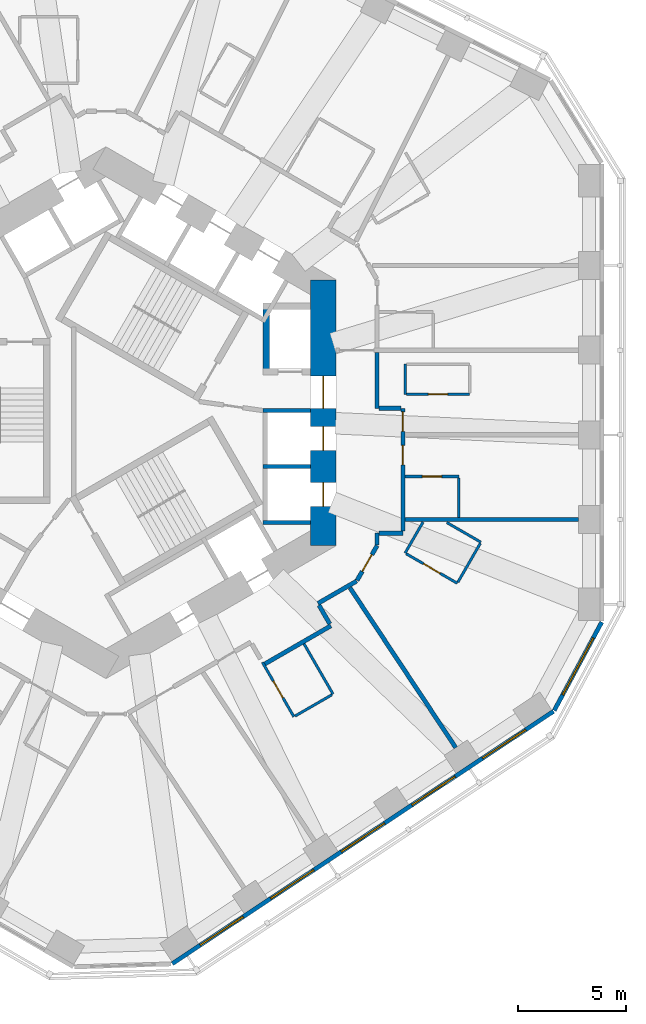
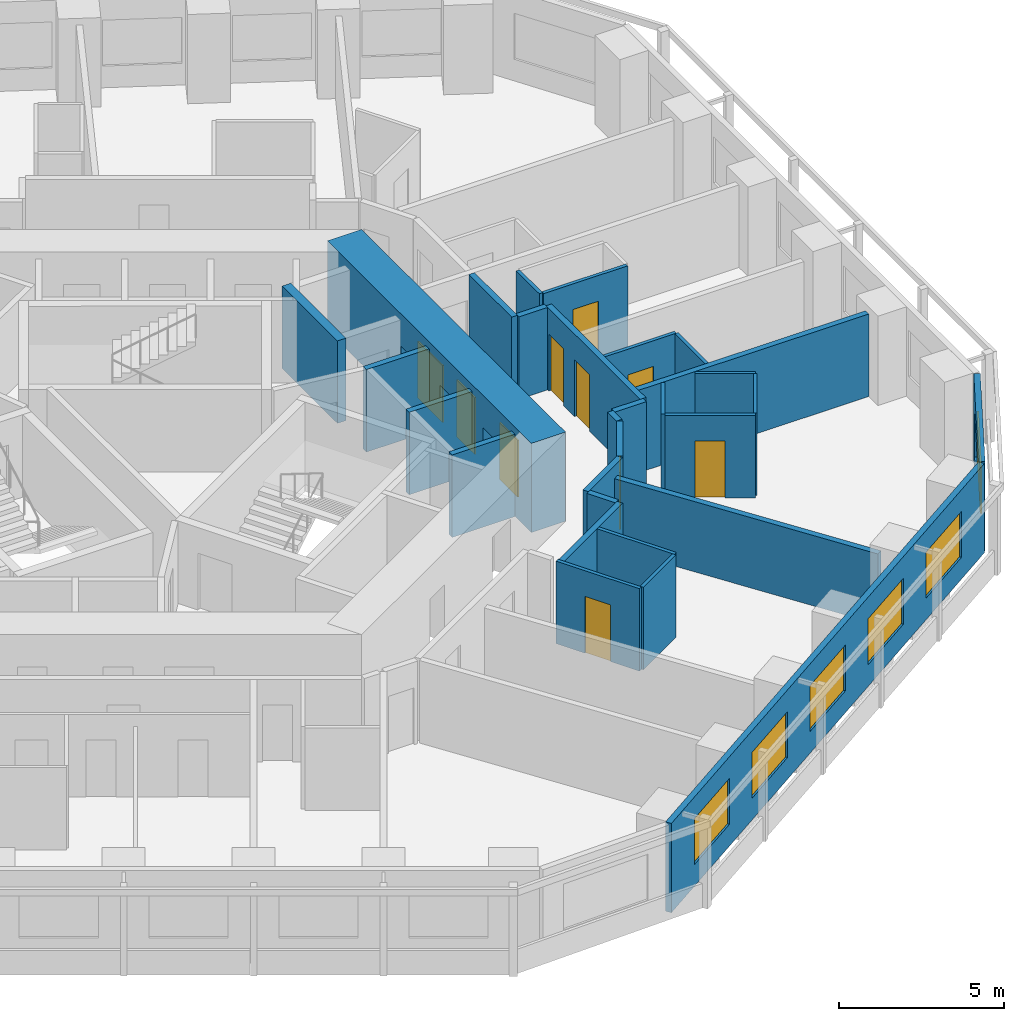
# One storey, part 6 of 12: 29 walls, 10 doors, 6 windows, 16 openings.
"""IFC4 building model written with IfcOpenShell, lengths in metres."""

from ifc_helpers import new_model, si_unit, direction, frame, frame_2d, origin, place, context, subcontext, project, spatial, rectangle, extrude, material, layer, layer_set, type_object, element, fill, save


model = new_model("IFC4")

# Units and contexts
model_context = context("Model", 3, precision=1e-05, world=origin(), true_north=direction((0.0, 1.0)))
body_context = subcontext(model_context, "Body", "Model", "MODEL_VIEW")
ifc_project = project(units=[si_unit("LENGTHUNIT", "METRE"), si_unit("AREAUNIT", "SQUARE_METRE"), si_unit("VOLUMEUNIT", "CUBIC_METRE"), si_unit("PLANEANGLEUNIT", "RADIAN"), si_unit("MASSUNIT", "GRAM", prefix="KILO")], contexts=[model_context])

# Site, building, storey
site_placement = place(None, origin())
site = spatial("IfcSite", under=ifc_project, at=site_placement, CompositionType="ELEMENT")
building_placement = place(site_placement, origin())
building = spatial("IfcBuilding", under=site, at=building_placement, Name="Vanh Sen Convention Tower", CompositionType="ELEMENT")
storey_placement = place(building_placement, frame((0.0, 0.0, 60.5)))
storey = spatial("IfcBuildingStorey", under=building, at=storey_placement, Name="L12", CompositionType="ELEMENT", Elevation=60.5)

# Wall, opening, door
ifc_material_1 = material(Name="Moisture-resistant gypsum board on steel studs", Category="steel")
ifc_layer_1 = layer(ifc_material_1, 0.1201171875)
ifc_layer_set_1 = layer_set([ifc_layer_1], Name="Moisture-resistant gypsum board on steel studs")
wall_type_1 = type_object("IfcWallType", Name="Bathroom partition 120", PredefinedType="PARTITIONING", material=ifc_layer_set_1)
wall_1_placement = place(storey_placement, frame((8.732666015625, -14.12744140625, 0.0), z_axis=(0.0, 0.0, 1.0), x_axis=(-0.499978132246, 0.86603802877, 0.0)))
wall_1 = element("IfcWall", 1, at=wall_1_placement, inside=storey, type_object=wall_type_1, Name="Bathroom partition 120", PredefinedType="PARTITIONING", context=body_context, shape_type="SweptSolid", body=[
    extrude(rectangle(XDim=2.920654296875, YDim=0.1201171875, at=frame_2d((1.46044921875, 0.0))), origin(), (0.0, 0.0, 1.0), 3.050048828125),
])
opening_1_placement = place(wall_1_placement, frame((1.01025390625, 0.0, 0.0)))
opening_1 = element("IfcOpeningElement", 2, at=opening_1_placement, cuts=wall_1, Name="Opening D10136", PredefinedType="OPENING", context=body_context, shape_type="SweptSolid", body=[
    extrude(rectangle(XDim=0.89990234375, YDim=2.10009765625, at=frame_2d((0.449951171875, 1.050048828125))), frame((0.0, 0.070068359375, 0.0), z_axis=(0.0, -1.0, 0.0), x_axis=(1.0, 0.0, 0.0)), (0.0, 0.0, 1.0), 0.14013671875),
])
ifc_material_2 = material(Name="Laminate door in steel frame", Category="steel")
door_type_1 = type_object("IfcDoorType", Name="En-suite door 900", OperationType="SINGLE_SWING_LEFT", PredefinedType="DOOR", material=ifc_material_2)
door_1_placement = place(opening_1_placement, origin())
door_1 = element("IfcDoor", 3, at=door_1_placement, inside=storey, type_object=door_type_1, Name="En-suite door D10136", OperationType="SINGLE_SWING_LEFT", OverallHeight=2.10009765625, OverallWidth=0.89990234375, PredefinedType="DOOR", context=body_context, shape_type="SweptSolid", body=[
    extrude(rectangle(XDim=0.89990234375, YDim=2.10009765625, at=frame_2d((0.449951171875, 1.050048828125))), frame((0.0, 0.02490234375, 0.0), z_axis=(0.0, -1.0, 0.0), x_axis=(1.0, 0.0, 0.0)), (0.0, 0.0, 1.0), 0.050048828125),
])
fill(opening_1, door_1)

# Walls
wall_2_placement = place(storey_placement, frame((9.202880859375, -10.738037109375, 0.0), z_axis=(0.0, 0.0, 1.0), x_axis=(0.50000943426, -0.866019956843, 0.0)))
element("IfcWall", 4, at=wall_2_placement, inside=storey, type_object=wall_type_1, Name="Bathroom partition 120", PredefinedType="PARTITIONING", context=body_context, shape_type="SweptSolid", body=[
    extrude(rectangle(XDim=2.7001953125, YDim=0.1201171875, at=frame_2d((1.35009765625, 0.0))), origin(), (0.0, 0.0, 1.0), 3.050048828125),
])
wall_3_placement = place(storey_placement, frame((10.5009765625, -13.1064453125, 0.0), z_axis=(0.0, 0.0, 1.0), x_axis=(-0.866013262469, -0.500021028785, 0.0)))
element("IfcWall", 5, at=wall_3_placement, inside=storey, type_object=wall_type_1, Name="Bathroom partition 120", PredefinedType="PARTITIONING", context=body_context, shape_type="SweptSolid", body=[
    extrude(rectangle(XDim=1.98193359375, YDim=0.1201171875, at=frame_2d((0.990966796875, 0.0))), origin(), (0.0, 0.0, 1.0), 3.050048828125),
])
wall_4_placement = place(storey_placement, frame((13.90087890625, -6.5244140625, 0.0), z_axis=(0.0, 0.0, 1.0), x_axis=(0.499964162598, 0.86604609353, 0.0)))
element("IfcWall", 6, at=wall_4_placement, inside=storey, type_object=wall_type_1, Name="Bathroom partition 120", PredefinedType="PARTITIONING", context=body_context, shape_type="SweptSolid", body=[
    extrude(rectangle(XDim=1.6611328125, YDim=0.1201171875, at=frame_2d((0.83056640625, 0.0))), origin(), (0.0, 0.0, 1.0), 3.050048828125),
])

# Wall, opening, door
wall_5_placement = place(storey_placement, frame((13.90087890625, -2.964599609375, 0.0), z_axis=(0.0, 0.0, 1.0), x_axis=(1.0, 0.0, 0.0)))
wall_5 = element("IfcWall", 7, at=wall_5_placement, inside=storey, type_object=wall_type_1, Name="Bathroom partition 120", PredefinedType="PARTITIONING", context=body_context, shape_type="SweptSolid", body=[
    extrude(rectangle(XDim=2.5, YDim=0.1201171875, at=frame_2d((1.25, 0.0))), origin(), (0.0, 0.0, 1.0), 3.050048828125),
])
opening_2_placement = place(wall_5_placement, frame((0.800048828125, 0.0, 0.0)))
opening_2 = element("IfcOpeningElement", 8, at=opening_2_placement, cuts=wall_5, Name="Opening D10102", PredefinedType="OPENING", context=body_context, shape_type="SweptSolid", body=[
    extrude(rectangle(XDim=0.89990234375, YDim=2.10009765625, at=frame_2d((0.449951171875, 1.050048828125))), frame((0.0, 0.070068359375, 0.0), z_axis=(0.0, -1.0, 0.0), x_axis=(1.0, 0.0, 0.0)), (0.0, 0.0, 1.0), 0.14013671875),
])
door_2_placement = place(opening_2_placement, origin())
door_2 = element("IfcDoor", 9, at=door_2_placement, inside=storey, type_object=door_type_1, Name="En-suite door D10102", OperationType="SINGLE_SWING_LEFT", OverallHeight=2.10009765625, OverallWidth=0.89990234375, PredefinedType="DOOR", context=body_context, shape_type="SweptSolid", body=[
    extrude(rectangle(XDim=0.89990234375, YDim=2.10009765625, at=frame_2d((0.449951171875, 1.050048828125))), frame((0.0, 0.02490234375, 0.0), z_axis=(0.0, -1.0, 0.0), x_axis=(1.0, 0.0, 0.0)), (0.0, 0.0, 1.0), 0.050048828125),
])
fill(opening_2, door_2)

# Walls
wall_6_placement = place(storey_placement, frame((13.89990234375, 0.852783203125, 0.0), z_axis=(0.0, 0.0, 1.0), x_axis=(0.0, 1.0, 0.0)))
element("IfcWall", 10, at=wall_6_placement, inside=storey, type_object=wall_type_1, Name="Bathroom partition 120", PredefinedType="PARTITIONING", context=body_context, shape_type="SweptSolid", body=[
    extrude(rectangle(XDim=1.39990234375, YDim=0.1201171875, at=frame_2d((0.699951171875, 0.0))), origin(), (0.0, 0.0, 1.0), 3.050048828125),
])
wall_7_placement = place(storey_placement, frame((15.84130859375, -5.1044921875, 0.0), z_axis=(0.0, 0.0, 1.0), x_axis=(0.866025591402, -0.499999675036, 0.0)))
element("IfcWall", 11, at=wall_7_placement, inside=storey, type_object=wall_type_1, Name="Bathroom partition 120", PredefinedType="PARTITIONING", context=body_context, shape_type="SweptSolid", body=[
    extrude(rectangle(XDim=1.82958984375, YDim=0.1201171875, at=frame_2d((0.914794921875, 0.0))), origin(), (0.0, 0.0, 1.0), 3.050048828125),
])

# Wall, opening, door
wall_8_placement = place(storey_placement, frame((16.32568359375, -7.924560546875, 0.0), z_axis=(0.0, 0.0, 1.0), x_axis=(-0.865997131366, 0.500048966069, 0.0)))
wall_8 = element("IfcWall", 12, at=wall_8_placement, inside=storey, type_object=wall_type_1, Name="Bathroom partition 120", PredefinedType="PARTITIONING", context=body_context, shape_type="SweptSolid", body=[
    extrude(rectangle(XDim=2.739990234375, YDim=0.1201171875, at=frame_2d((1.3701171875, 0.0))), origin(), (0.0, 0.0, 1.0), 3.050048828125),
])
opening_3_placement = place(wall_8_placement, frame((0.919921875, 0.0, 0.0)))
opening_3 = element("IfcOpeningElement", 13, at=opening_3_placement, cuts=wall_8, Name="Opening D10138", PredefinedType="OPENING", context=body_context, shape_type="SweptSolid", body=[
    extrude(rectangle(XDim=0.89990234375, YDim=2.10009765625, at=frame_2d((0.449951171875, 1.050048828125))), frame((0.0, 0.070068359375, 0.0), z_axis=(0.0, -1.0, 0.0), x_axis=(1.0, 0.0, 0.0)), (0.0, 0.0, 1.0), 0.14013671875),
])
door_3_placement = place(opening_3_placement, origin())
door_3 = element("IfcDoor", 14, at=door_3_placement, inside=storey, type_object=door_type_1, Name="En-suite door D10138", OperationType="SINGLE_SWING_LEFT", OverallHeight=2.10009765625, OverallWidth=0.89990234375, PredefinedType="DOOR", context=body_context, shape_type="SweptSolid", body=[
    extrude(rectangle(XDim=0.89990234375, YDim=2.10009765625, at=frame_2d((0.449951171875, 1.050048828125))), frame((0.0, 0.02490234375, 0.0), z_axis=(0.0, -1.0, 0.0), x_axis=(1.0, 0.0, 0.0)), (0.0, 0.0, 1.0), 0.050048828125),
])
fill(opening_3, door_3)

# Wall
wall_9_placement = place(storey_placement, frame((16.40087890625, -3.024658203125, 0.0), z_axis=(0.0, 0.0, 1.0), x_axis=(0.0, -1.0, 0.0)))
element("IfcWall", 15, at=wall_9_placement, inside=storey, type_object=wall_type_1, Name="Bathroom partition 120", PredefinedType="PARTITIONING", context=body_context, shape_type="SweptSolid", body=[
    extrude(rectangle(XDim=1.83984375, YDim=0.1201171875, at=frame_2d((0.919921875, 0.0))), origin(), (0.0, 0.0, 1.0), 3.050048828125),
])

# Wall, opening, door
wall_10_placement = place(storey_placement, frame((16.89990234375, 0.852783203125, 0.0), z_axis=(0.0, 0.0, 1.0), x_axis=(-1.0, 0.0, 0.0)))
wall_10 = element("IfcWall", 16, at=wall_10_placement, inside=storey, type_object=wall_type_1, Name="Bathroom partition 120", PredefinedType="PARTITIONING", context=body_context, shape_type="SweptSolid", body=[
    extrude(rectangle(XDim=2.93994140625, YDim=0.1201171875, at=frame_2d((1.469970703125, 0.0))), origin(), (0.0, 0.0, 1.0), 3.050048828125),
])
opening_4_placement = place(wall_10_placement, frame((1.02001953125, 0.0, 0.0)))
opening_4 = element("IfcOpeningElement", 17, at=opening_4_placement, cuts=wall_10, Name="Opening D10104", PredefinedType="OPENING", context=body_context, shape_type="SweptSolid", body=[
    extrude(rectangle(XDim=0.89990234375, YDim=2.10009765625, at=frame_2d((0.449951171875, 1.050048828125))), frame((0.0, 0.070068359375, 0.0), z_axis=(0.0, -1.0, 0.0), x_axis=(1.0, 0.0, 0.0)), (0.0, 0.0, 1.0), 0.14013671875),
])
door_4_placement = place(opening_4_placement, origin())
door_4 = element("IfcDoor", 18, at=door_4_placement, inside=storey, type_object=door_type_1, Name="En-suite door D10104", OperationType="SINGLE_SWING_LEFT", OverallHeight=2.10009765625, OverallWidth=0.89990234375, PredefinedType="DOOR", context=body_context, shape_type="SweptSolid", body=[
    extrude(rectangle(XDim=0.89990234375, YDim=2.10009765625, at=frame_2d((0.449951171875, 1.050048828125))), frame((0.0, 0.02490234375, 0.0), z_axis=(0.0, -1.0, 0.0), x_axis=(1.0, 0.0, 0.0)), (0.0, 0.0, 1.0), 0.050048828125),
])
fill(opening_4, door_4)

# Wall
wall_11_placement = place(storey_placement, frame((17.395751953125, -6.0712890625, 0.0), z_axis=(0.0, 0.0, 1.0), x_axis=(-0.500027264788, -0.866009661879, 0.0)))
element("IfcWall", 19, at=wall_11_placement, inside=storey, type_object=wall_type_1, Name="Bathroom partition 120", PredefinedType="PARTITIONING", context=body_context, shape_type="SweptSolid", body=[
    extrude(rectangle(XDim=2.080078125, YDim=0.1201171875, at=frame_2d((1.0400390625, 0.0))), origin(), (0.0, 0.0, 1.0), 3.050048828125),
])

# Wall, openings, doors
ifc_material_3 = material(Name="Concrete C80/95", Category="concrete")
ifc_layer_2 = layer(ifc_material_3, 1.199951171875)
ifc_layer_set_2 = layer_set([ifc_layer_2], Name="Concrete C80/95")
wall_type_2 = type_object("IfcWallType", Name="Core outer wall 1200 C80/95", PredefinedType="SHEAR", material=ifc_layer_set_2)
wall_12_placement = place(storey_placement, frame((10.10009765625, -6.177490234375, 0.0), z_axis=(0.0, 0.0, 1.0), x_axis=(0.0, 1.0, 0.0)))
wall_12 = element("IfcWall", 20, at=wall_12_placement, inside=storey, type_object=wall_type_2, Name="Core wall face E L12", PredefinedType="SHEAR", context=body_context, shape_type="SweptSolid", body=[
    extrude(rectangle(XDim=12.35498046875, YDim=1.199951171875, at=frame_2d((6.177490234375, 0.0))), origin(), (0.0, 0.0, 1.0), 3.300048828125),
])
opening_5_placement = place(wall_12_placement, frame((6.377685546875, 0.0, 0.0)))
opening_5 = element("IfcOpeningElement", 21, at=opening_5_placement, cuts=wall_12, Name="Opening D10001", PredefinedType="OPENING", context=body_context, shape_type="SweptSolid", body=[
    extrude(rectangle(XDim=1.5, YDim=2.10009765625, at=frame_2d((0.75, 1.050048828125))), frame((0.0, 0.60986328125, 0.0), z_axis=(0.0, -1.0, 0.0), x_axis=(1.0, 0.0, 0.0)), (0.0, 0.0, 1.0), 1.219970703125),
])
opening_6_placement = place(wall_12_placement, frame((1.82763671875, 0.0, 0.0)))
opening_6 = element("IfcOpeningElement", 22, at=opening_6_placement, cuts=wall_12, Name="Opening LD-LR1", PredefinedType="OPENING", context=body_context, shape_type="SweptSolid", body=[
    extrude(rectangle(XDim=1.10009765625, YDim=2.10009765625, at=frame_2d((0.550048828125, 1.050048828125))), frame((0.0, 0.60986328125, 0.0), z_axis=(0.0, -1.0, 0.0), x_axis=(1.0, 0.0, 0.0)), (0.0, 0.0, 1.0), 1.219970703125),
])
opening_7_placement = place(wall_12_placement, frame((4.427490234375, 0.0, 0.0)))
opening_7 = element("IfcOpeningElement", 23, at=opening_7_placement, cuts=wall_12, Name="Opening LD-LR2", PredefinedType="OPENING", context=body_context, shape_type="SweptSolid", body=[
    extrude(rectangle(XDim=1.10009765625, YDim=2.10009765625, at=frame_2d((0.550048828125, 1.050048828125))), frame((0.0, 0.60986328125, 0.0), z_axis=(0.0, -1.0, 0.0), x_axis=(1.0, 0.0, 0.0)), (0.0, 0.0, 1.0), 1.219970703125),
])
ifc_material_4 = material(Name="Stainless steel", Category="steel")
door_type_2 = type_object("IfcDoorType", Name="Lift landing door 1100", OperationType="DOUBLE_DOOR_SLIDING", PredefinedType="DOOR", material=ifc_material_4)
door_5_placement = place(opening_6_placement, origin())
door_5 = element("IfcDoor", 24, at=door_5_placement, inside=storey, type_object=door_type_2, Name="Lift LR1 landing door LD-LR1", OperationType="DOUBLE_DOOR_SLIDING", OverallHeight=2.10009765625, OverallWidth=1.10009765625, PredefinedType="DOOR", context=body_context, shape_type="SweptSolid", body=[
    extrude(rectangle(XDim=1.10009765625, YDim=2.10009765625, at=frame_2d((0.550048828125, 1.050048828125))), frame((0.0, 0.02490234375, 0.0), z_axis=(0.0, -1.0, 0.0), x_axis=(1.0, 0.0, 0.0)), (0.0, 0.0, 1.0), 0.050048828125),
])
fill(opening_6, door_5)
door_6_placement = place(opening_7_placement, origin())
door_6 = element("IfcDoor", 25, at=door_6_placement, inside=storey, type_object=door_type_2, Name="Lift LR2 landing door LD-LR2", OperationType="DOUBLE_DOOR_SLIDING", OverallHeight=2.10009765625, OverallWidth=1.10009765625, PredefinedType="DOOR", context=body_context, shape_type="SweptSolid", body=[
    extrude(rectangle(XDim=1.10009765625, YDim=2.10009765625, at=frame_2d((0.550048828125, 1.050048828125))), frame((0.0, 0.02490234375, 0.0), z_axis=(0.0, -1.0, 0.0), x_axis=(1.0, 0.0, 0.0)), (0.0, 0.0, 1.0), 0.050048828125),
])
fill(opening_7, door_6)
ifc_material_5 = material(Name="Steel S355", Category="steel")
door_type_3 = type_object("IfcDoorType", Name="Stair lobby door 1500", OperationType="DOUBLE_DOOR_SINGLE_SWING", PredefinedType="DOOR", material=ifc_material_5)
door_7_placement = place(opening_5_placement, origin())
door_7 = element("IfcDoor", 26, at=door_7_placement, inside=storey, type_object=door_type_3, Name="Stair lobby door D10001", OperationType="DOUBLE_DOOR_SINGLE_SWING", OverallHeight=2.10009765625, OverallWidth=1.5, PredefinedType="DOOR", context=body_context, shape_type="SweptSolid", body=[
    extrude(rectangle(XDim=1.5, YDim=2.10009765625, at=frame_2d((0.75, 1.050048828125))), frame((0.0, 0.02490234375, 0.0), z_axis=(0.0, -1.0, 0.0), x_axis=(1.0, 0.0, 0.0)), (0.0, 0.0, 1.0), 0.050048828125),
])
fill(opening_5, door_7)

# Walls
ifc_material_6 = material(Name="Gypsum board on steel studs with mineral wool", Category="steel")
ifc_layer_3 = layer(ifc_material_6, 0.199951171875)
ifc_layer_set_3 = layer_set([ifc_layer_3], Name="Gypsum board on steel studs with mineral wool")
wall_type_3 = type_object("IfcWallType", Name="Corridor partition wall 200", PredefinedType="PARTITIONING", material=ifc_layer_set_3)
wall_13_placement = place(storey_placement, frame((7.384521484375, -11.672607421875, 0.0), z_axis=(0.0, 0.0, 1.0), x_axis=(0.866037524642, 0.499979005472, 0.0)))
element("IfcWall", 27, at=wall_13_placement, inside=storey, type_object=wall_type_3, Name="Corridor partition wall 200", PredefinedType="PARTITIONING", context=body_context, shape_type="SweptSolid", body=[
    extrude(rectangle(XDim=3.542236328125, YDim=0.199951171875, at=frame_2d((1.77099609375, 0.0))), origin(), (0.0, 0.0, 1.0), 3.050048828125),
])
wall_14_placement = place(storey_placement, frame((9.8515625, -8.861328125, 0.0), z_axis=(0.0, 0.0, 1.0), x_axis=(0.866013291437, 0.500020978615, 0.0)))
element("IfcWall", 28, at=wall_14_placement, inside=storey, type_object=wall_type_3, Name="Corridor partition wall 200", PredefinedType="PARTITIONING", context=body_context, shape_type="SweptSolid", body=[
    extrude(rectangle(XDim=2.07666015625, YDim=0.199951171875, at=frame_2d((1.038330078125, 0.0))), origin(), (0.0, 0.0, 1.0), 3.050048828125),
])
wall_15_placement = place(storey_placement, frame((10.402099609375, -9.81494140625, 0.0), z_axis=(0.0, 0.0, 1.0), x_axis=(-0.499968756647, 0.866043441391, 0.0)))
element("IfcWall", 29, at=wall_15_placement, inside=storey, type_object=wall_type_3, Name="Corridor partition wall 200", PredefinedType="PARTITIONING", context=body_context, shape_type="SweptSolid", body=[
    extrude(rectangle(XDim=1.0009765625, YDim=0.199951171875, at=frame_2d((0.50048828125, 0.0))), origin(), (0.0, 0.0, 1.0), 3.050048828125),
])

# Wall, opening, door
wall_16_placement = place(storey_placement, frame((11.669921875, -7.788330078125, 0.0), z_axis=(0.0, 0.0, 1.0), x_axis=(0.500063286585, 0.865988862174, 0.0)))
wall_16 = element("IfcWall", 30, at=wall_16_placement, inside=storey, type_object=wall_type_3, Name="Corridor partition wall 200", PredefinedType="PARTITIONING", context=body_context, shape_type="SweptSolid", body=[
    extrude(rectangle(XDim=1.860107421875, YDim=0.199951171875, at=frame_2d((0.93017578125, 0.0))), origin(), (0.0, 0.0, 1.0), 3.050048828125),
])
opening_8_placement = place(wall_16_placement, frame((0.47998046875, 0.0, 0.0)))
opening_8 = element("IfcOpeningElement", 31, at=opening_8_placement, cuts=wall_16, Name="Opening D10137", PredefinedType="OPENING", context=body_context, shape_type="SweptSolid", body=[
    extrude(rectangle(XDim=0.89990234375, YDim=2.10009765625, at=frame_2d((0.449951171875, 1.050048828125))), frame((0.0, 0.10986328125, 0.0), z_axis=(0.0, -1.0, 0.0), x_axis=(1.0, 0.0, 0.0)), (0.0, 0.0, 1.0), 0.219970703125),
])
ifc_material_7 = material(Name="Timber fire door in steel frame", Category="steel")
door_type_4 = type_object("IfcDoorType", Name="Guest room door 900", OperationType="SINGLE_SWING_LEFT", PredefinedType="DOOR", material=ifc_material_7)
door_8_placement = place(opening_8_placement, origin())
door_8 = element("IfcDoor", 32, at=door_8_placement, inside=storey, type_object=door_type_4, Name="Hotel guest room door D10137", OperationType="SINGLE_SWING_LEFT", OverallHeight=2.10009765625, OverallWidth=0.89990234375, PredefinedType="DOOR", context=body_context, shape_type="SweptSolid", body=[
    extrude(rectangle(XDim=0.89990234375, YDim=2.10009765625, at=frame_2d((0.449951171875, 1.050048828125))), frame((0.0, 0.02490234375, 0.0), z_axis=(0.0, -1.0, 0.0), x_axis=(1.0, 0.0, 0.0)), (0.0, 0.0, 1.0), 0.050048828125),
])
fill(opening_8, door_8)

# Walls
wall_17_placement = place(storey_placement, frame((12.60009765625, -6.1376953125, 0.0), z_axis=(0.0, 0.0, 1.0), x_axis=(0.0, 1.0, 0.0)))
element("IfcWall", 33, at=wall_17_placement, inside=storey, type_object=wall_type_3, Name="Corridor partition wall 200", PredefinedType="PARTITIONING", context=body_context, shape_type="SweptSolid", body=[
    extrude(rectangle(XDim=0.53662109375, YDim=0.199951171875, at=frame_2d((0.268310546875, 0.0))), origin(), (0.0, 0.0, 1.0), 3.050048828125),
])
wall_18_placement = place(storey_placement, frame((12.60009765625, 0.200927734375, 0.0), z_axis=(0.0, 0.0, 1.0), x_axis=(0.0, 1.0, 0.0)))
element("IfcWall", 34, at=wall_18_placement, inside=storey, type_object=wall_type_3, Name="Corridor partition wall 200", PredefinedType="PARTITIONING", context=body_context, shape_type="SweptSolid", body=[
    extrude(rectangle(XDim=2.603515625, YDim=0.199951171875, at=frame_2d((1.3017578125, 0.0))), origin(), (0.0, 0.0, 1.0), 3.050048828125),
])
wall_19_placement = place(storey_placement, frame((12.699951171875, -5.60107421875, 0.0), z_axis=(0.0, 0.0, 1.0), x_axis=(1.0, 0.0, 0.0)))
element("IfcWall", 35, at=wall_19_placement, inside=storey, type_object=wall_type_3, Name="Corridor partition wall 200", PredefinedType="PARTITIONING", context=body_context, shape_type="SweptSolid", body=[
    extrude(rectangle(XDim=1.10107421875, YDim=0.199951171875, at=frame_2d((0.550537109375, 0.0))), origin(), (0.0, 0.0, 1.0), 3.050048828125),
])
wall_20_placement = place(storey_placement, frame((13.700927734375, 0.200927734375, 0.0), z_axis=(0.0, 0.0, 1.0), x_axis=(-1.0, 0.0, 0.0)))
element("IfcWall", 36, at=wall_20_placement, inside=storey, type_object=wall_type_3, Name="Corridor partition wall 200", PredefinedType="PARTITIONING", context=body_context, shape_type="SweptSolid", body=[
    extrude(rectangle(XDim=1.0009765625, YDim=0.199951171875, at=frame_2d((0.50048828125, 0.0))), origin(), (0.0, 0.0, 1.0), 3.050048828125),
])

# Wall, openings, doors
wall_21_placement = place(storey_placement, frame((13.801025390625, -5.5009765625, 0.0), z_axis=(0.0, 0.0, 1.0), x_axis=(0.0, 1.0, 0.0)))
wall_21 = element("IfcWall", 37, at=wall_21_placement, inside=storey, type_object=wall_type_3, Name="Corridor partition wall 200", PredefinedType="PARTITIONING", context=body_context, shape_type="SweptSolid", body=[
    extrude(rectangle(XDim=5.701904296875, YDim=0.199951171875, at=frame_2d((2.85107421875, 0.0))), origin(), (0.0, 0.0, 1.0), 3.050048828125),
])
opening_9_placement = place(wall_21_placement, frame((3.07861328125, 0.0, 0.0)))
opening_9 = element("IfcOpeningElement", 38, at=opening_9_placement, cuts=wall_21, Name="Opening D10101", PredefinedType="OPENING", context=body_context, shape_type="SweptSolid", body=[
    extrude(rectangle(XDim=0.89990234375, YDim=2.10009765625, at=frame_2d((0.449951171875, 1.050048828125))), frame((0.0, 0.10986328125, 0.0), z_axis=(0.0, -1.0, 0.0), x_axis=(1.0, 0.0, 0.0)), (0.0, 0.0, 1.0), 0.219970703125),
])
opening_10_placement = place(wall_21_placement, frame((4.636474609375, 0.0, 0.0)))
opening_10 = element("IfcOpeningElement", 39, at=opening_10_placement, cuts=wall_21, Name="Opening D10103", PredefinedType="OPENING", context=body_context, shape_type="SweptSolid", body=[
    extrude(rectangle(XDim=0.89990234375, YDim=2.10009765625, at=frame_2d((0.449951171875, 1.050048828125))), frame((0.0, 0.10986328125, 0.0), z_axis=(0.0, -1.0, 0.0), x_axis=(1.0, 0.0, 0.0)), (0.0, 0.0, 1.0), 0.219970703125),
])
door_9_placement = place(opening_9_placement, origin())
door_9 = element("IfcDoor", 40, at=door_9_placement, inside=storey, type_object=door_type_4, Name="Hotel guest room door D10101", OperationType="SINGLE_SWING_LEFT", OverallHeight=2.10009765625, OverallWidth=0.89990234375, PredefinedType="DOOR", context=body_context, shape_type="SweptSolid", body=[
    extrude(rectangle(XDim=0.89990234375, YDim=2.10009765625, at=frame_2d((0.449951171875, 1.050048828125))), frame((0.0, 0.02490234375, 0.0), z_axis=(0.0, -1.0, 0.0), x_axis=(1.0, 0.0, 0.0)), (0.0, 0.0, 1.0), 0.050048828125),
])
fill(opening_9, door_9)
door_10_placement = place(opening_10_placement, origin())
door_10 = element("IfcDoor", 41, at=door_10_placement, inside=storey, type_object=door_type_4, Name="Hotel guest room door D10103", OperationType="SINGLE_SWING_LEFT", OverallHeight=2.10009765625, OverallWidth=0.89990234375, PredefinedType="DOOR", context=body_context, shape_type="SweptSolid", body=[
    extrude(rectangle(XDim=0.89990234375, YDim=2.10009765625, at=frame_2d((0.449951171875, 1.050048828125))), frame((0.0, 0.02490234375, 0.0), z_axis=(0.0, -1.0, 0.0), x_axis=(1.0, 0.0, 0.0)), (0.0, 0.0, 1.0), 0.050048828125),
])
fill(opening_10, door_10)

# Wall, openings, windows
ifc_material_8 = material(Name="Insulated lightweight infill wall")
ifc_layer_4 = layer(ifc_material_8, 0.199951171875)
ifc_layer_set_4 = layer_set([ifc_layer_4], Name="Insulated lightweight infill wall")
wall_type_4 = type_object("IfcWallType", Name="External wall 200", PredefinedType="STANDARD", material=ifc_layer_set_4)
wall_22_placement = place(storey_placement, frame((3.0830078125, -25.60107421875, 0.0), z_axis=(0.0, 0.0, 1.0), x_axis=(0.833884295743, 0.551939291329, 0.0)))
wall_22 = element("IfcWall", 42, at=wall_22_placement, inside=storey, type_object=wall_type_4, Name="External wall SE L12", PredefinedType="STANDARD", context=body_context, shape_type="SweptSolid", body=[
    extrude(rectangle(XDim=21.24609375, YDim=0.199951171875, at=frame_2d((10.623046875, 0.0))), origin(), (0.0, 0.0, 1.0), 3.300048828125),
])
opening_11_placement = place(wall_22_placement, frame((1.552978515625, 0.0, 0.800048828125)))
opening_11 = element("IfcOpeningElement", 43, at=opening_11_placement, cuts=wall_22, Name="Opening WH1-SE1", PredefinedType="OPENING", context=body_context, shape_type="SweptSolid", body=[
    extrude(rectangle(XDim=2.39990234375, YDim=1.699951171875, at=frame_2d((1.199951171875, 0.85009765625))), frame((0.0, 0.10986328125, 0.0), z_axis=(0.0, -1.0, 0.0), x_axis=(1.0, 0.0, 0.0)), (0.0, 0.0, 1.0), 0.219970703125),
])
opening_12_placement = place(wall_22_placement, frame((5.487548828125, 0.0, 0.800048828125)))
opening_12 = element("IfcOpeningElement", 44, at=opening_12_placement, cuts=wall_22, Name="Opening WH1-SE2", PredefinedType="OPENING", context=body_context, shape_type="SweptSolid", body=[
    extrude(rectangle(XDim=2.39990234375, YDim=1.699951171875, at=frame_2d((1.199951171875, 0.85009765625))), frame((0.0, 0.10986328125, 0.0), z_axis=(0.0, -1.0, 0.0), x_axis=(1.0, 0.0, 0.0)), (0.0, 0.0, 1.0), 0.219970703125),
])
opening_13_placement = place(wall_22_placement, frame((9.422119140625, 0.0, 0.800048828125)))
opening_13 = element("IfcOpeningElement", 45, at=opening_13_placement, cuts=wall_22, Name="Opening WH1-SE3", PredefinedType="OPENING", context=body_context, shape_type="SweptSolid", body=[
    extrude(rectangle(XDim=2.39990234375, YDim=1.699951171875, at=frame_2d((1.199951171875, 0.85009765625))), frame((0.0, 0.10986328125, 0.0), z_axis=(0.0, -1.0, 0.0), x_axis=(1.0, 0.0, 0.0)), (0.0, 0.0, 1.0), 0.219970703125),
])
opening_14_placement = place(wall_22_placement, frame((13.356689453125, 0.0, 0.800048828125)))
opening_14 = element("IfcOpeningElement", 46, at=opening_14_placement, cuts=wall_22, Name="Opening WH1-SE4", PredefinedType="OPENING", context=body_context, shape_type="SweptSolid", body=[
    extrude(rectangle(XDim=2.39990234375, YDim=1.699951171875, at=frame_2d((1.199951171875, 0.85009765625))), frame((0.0, 0.10986328125, 0.0), z_axis=(0.0, -1.0, 0.0), x_axis=(1.0, 0.0, 0.0)), (0.0, 0.0, 1.0), 0.219970703125),
])
opening_15_placement = place(wall_22_placement, frame((17.291259765625, 0.0, 0.800048828125)))
opening_15 = element("IfcOpeningElement", 47, at=opening_15_placement, cuts=wall_22, Name="Opening WH1-SE5", PredefinedType="OPENING", context=body_context, shape_type="SweptSolid", body=[
    extrude(rectangle(XDim=2.39990234375, YDim=1.699951171875, at=frame_2d((1.199951171875, 0.85009765625))), frame((0.0, 0.10986328125, 0.0), z_axis=(0.0, -1.0, 0.0), x_axis=(1.0, 0.0, 0.0)), (0.0, 0.0, 1.0), 0.219970703125),
])
ifc_material_9 = material(Name="Aluminium frame with clear low-emissivity glass", Category="aluminium")
window_type_1 = type_object("IfcWindowType", Name="Hotel window 2400 x 1700", PartitioningType="SINGLE_PANEL", PredefinedType="WINDOW", material=ifc_material_9)
window_1_placement = place(opening_11_placement, origin())
window_1 = element("IfcWindow", 48, at=window_1_placement, inside=storey, type_object=window_type_1, Name="Window WH1-SE1", OverallHeight=1.699951171875, OverallWidth=2.39990234375, PartitioningType="SINGLE_PANEL", PredefinedType="WINDOW", context=body_context, shape_type="SweptSolid", body=[
    extrude(rectangle(XDim=2.39990234375, YDim=1.699951171875, at=frame_2d((1.199951171875, 0.85009765625))), frame((0.0, 0.030029296875, 0.0), z_axis=(0.0, -1.0, 0.0), x_axis=(1.0, 0.0, 0.0)), (0.0, 0.0, 1.0), 0.06005859375),
])
fill(opening_11, window_1)
window_2_placement = place(opening_12_placement, origin())
window_2 = element("IfcWindow", 49, at=window_2_placement, inside=storey, type_object=window_type_1, Name="Window WH1-SE2", OverallHeight=1.699951171875, OverallWidth=2.39990234375, PartitioningType="SINGLE_PANEL", PredefinedType="WINDOW", context=body_context, shape_type="SweptSolid", body=[
    extrude(rectangle(XDim=2.39990234375, YDim=1.699951171875, at=frame_2d((1.199951171875, 0.85009765625))), frame((0.0, 0.030029296875, 0.0), z_axis=(0.0, -1.0, 0.0), x_axis=(1.0, 0.0, 0.0)), (0.0, 0.0, 1.0), 0.06005859375),
])
fill(opening_12, window_2)
window_3_placement = place(opening_13_placement, origin())
window_3 = element("IfcWindow", 50, at=window_3_placement, inside=storey, type_object=window_type_1, Name="Window WH1-SE3", OverallHeight=1.699951171875, OverallWidth=2.39990234375, PartitioningType="SINGLE_PANEL", PredefinedType="WINDOW", context=body_context, shape_type="SweptSolid", body=[
    extrude(rectangle(XDim=2.39990234375, YDim=1.699951171875, at=frame_2d((1.199951171875, 0.85009765625))), frame((0.0, 0.030029296875, 0.0), z_axis=(0.0, -1.0, 0.0), x_axis=(1.0, 0.0, 0.0)), (0.0, 0.0, 1.0), 0.06005859375),
])
fill(opening_13, window_3)
window_4_placement = place(opening_14_placement, origin())
window_4 = element("IfcWindow", 51, at=window_4_placement, inside=storey, type_object=window_type_1, Name="Window WH1-SE4", OverallHeight=1.699951171875, OverallWidth=2.39990234375, PartitioningType="SINGLE_PANEL", PredefinedType="WINDOW", context=body_context, shape_type="SweptSolid", body=[
    extrude(rectangle(XDim=2.39990234375, YDim=1.699951171875, at=frame_2d((1.199951171875, 0.85009765625))), frame((0.0, 0.030029296875, 0.0), z_axis=(0.0, -1.0, 0.0), x_axis=(1.0, 0.0, 0.0)), (0.0, 0.0, 1.0), 0.06005859375),
])
fill(opening_14, window_4)
window_5_placement = place(opening_15_placement, origin())
window_5 = element("IfcWindow", 52, at=window_5_placement, inside=storey, type_object=window_type_1, Name="Window WH1-SE5", OverallHeight=1.699951171875, OverallWidth=2.39990234375, PartitioningType="SINGLE_PANEL", PredefinedType="WINDOW", context=body_context, shape_type="SweptSolid", body=[
    extrude(rectangle(XDim=2.39990234375, YDim=1.699951171875, at=frame_2d((1.199951171875, 0.85009765625))), frame((0.0, 0.030029296875, 0.0), z_axis=(0.0, -1.0, 0.0), x_axis=(1.0, 0.0, 0.0)), (0.0, 0.0, 1.0), 0.06005859375),
])
fill(opening_15, window_5)

# Wall, opening, window
wall_23_placement = place(storey_placement, frame((20.83251953125, -13.838623046875, 0.0), z_axis=(0.0, 0.0, 1.0), x_axis=(0.473321668581, 0.880889662813, 0.0)))
wall_23 = element("IfcWall", 53, at=wall_23_placement, inside=storey, type_object=wall_type_4, Name="External wall CH6 L12", PredefinedType="STANDARD", context=body_context, shape_type="SweptSolid", body=[
    extrude(rectangle(XDim=4.65966796875, YDim=0.199951171875, at=frame_2d((2.329833984375, 0.0))), origin(), (0.0, 0.0, 1.0), 3.300048828125),
])
opening_16_placement = place(wall_23_placement, frame((0.829833984375, 0.0, 0.800048828125)))
opening_16 = element("IfcOpeningElement", 54, at=opening_16_placement, cuts=wall_23, Name="Opening WH2-CH61", PredefinedType="OPENING", context=body_context, shape_type="SweptSolid", body=[
    extrude(rectangle(XDim=3.0, YDim=1.699951171875, at=frame_2d((1.5, 0.85009765625))), frame((0.0, 0.10986328125, 0.0), z_axis=(0.0, -1.0, 0.0), x_axis=(1.0, 0.0, 0.0)), (0.0, 0.0, 1.0), 0.219970703125),
])
window_type_2 = type_object("IfcWindowType", Name="Hotel window 3000 x 1700", PartitioningType="SINGLE_PANEL", PredefinedType="WINDOW", material=ifc_material_9)
window_6_placement = place(opening_16_placement, origin())
window_6 = element("IfcWindow", 55, at=window_6_placement, inside=storey, type_object=window_type_2, Name="Window WH2-CH61", OverallHeight=1.699951171875, OverallWidth=3.0, PartitioningType="SINGLE_PANEL", PredefinedType="WINDOW", context=body_context, shape_type="SweptSolid", body=[
    extrude(rectangle(XDim=3.0, YDim=1.699951171875, at=frame_2d((1.5, 0.85009765625))), frame((0.0, 0.030029296875, 0.0), z_axis=(0.0, -1.0, 0.0), x_axis=(1.0, 0.0, 0.0)), (0.0, 0.0, 1.0), 0.06005859375),
])
fill(opening_16, window_6)

# Walls
ifc_material_10 = material(Name="Concrete C60/75", Category="concrete")
ifc_layer_5 = layer(ifc_material_10, 0.300048828125)
ifc_layer_set_5 = layer_set([ifc_layer_5], Name="Concrete C60/75")
wall_type_5 = type_object("IfcWallType", Name="Fire-fighting lift shaft wall 300", PredefinedType="SHEAR", material=ifc_layer_set_5)
wall_24_placement = place(storey_placement, frame((7.449951171875, 1.75, 0.0), z_axis=(0.0, 0.0, 1.0), x_axis=(0.0, 1.0, 0.0)))
element("IfcWall", 56, at=wall_24_placement, inside=storey, type_object=wall_type_5, Name="Fire-fighting lift shaft wall L12", PredefinedType="SHEAR", context=body_context, shape_type="SweptSolid", body=[
    extrude(rectangle(XDim=3.35009765625, YDim=0.300048828125, at=frame_2d((1.675048828125, 0.0))), origin(), (0.0, 0.0, 1.0), 3.050048828125),
])
ifc_layer_6 = layer(ifc_material_6, 0.199951171875)
ifc_layer_set_6 = layer_set([ifc_layer_6], Name="Gypsum board on steel studs with mineral wool")
wall_type_6 = type_object("IfcWallType", Name="Hotel party wall 200", PredefinedType="PARTITIONING", material=ifc_layer_set_6)
wall_25_placement = place(storey_placement, frame((13.90087890625, -4.964599609375, 0.0), z_axis=(0.0, 0.0, 1.0), x_axis=(1.0, 0.0, 0.0)))
element("IfcWall", 57, at=wall_25_placement, inside=storey, type_object=wall_type_6, Name="Hotel party wall 200", PredefinedType="PARTITIONING", context=body_context, shape_type="SweptSolid", body=[
    extrude(rectangle(XDim=8.049072265625, YDim=0.199951171875, at=frame_2d((4.0244140625, 0.0))), origin(), (0.0, 0.0, 1.0), 3.050048828125),
])
wall_26_placement = place(storey_placement, frame((16.2548828125, -15.563720703125, 0.0), z_axis=(0.0, 0.0, 1.0), x_axis=(-0.55192208744, 0.833895682562, 0.0)))
element("IfcWall", 58, at=wall_26_placement, inside=storey, type_object=wall_type_6, Name="Hotel party wall 200", PredefinedType="PARTITIONING", context=body_context, shape_type="SweptSolid", body=[
    extrude(rectangle(XDim=8.912841796875, YDim=0.199951171875, at=frame_2d((4.45654296875, 0.0))), origin(), (0.0, 0.0, 1.0), 2.60009765625),
])
ifc_material_11 = material(Name="Concrete C40/50", Category="concrete")
ifc_layer_7 = layer(ifc_material_11, 0.199951171875)
ifc_layer_set_7 = layer_set([ifc_layer_7], Name="Concrete C40/50")
wall_type_7 = type_object("IfcWallType", Name="Lift shaft wall 200", PredefinedType="PARTITIONING", material=ifc_layer_set_7)
for number, where, z_axis, x_axis, name in (
    (59, (7.300048828125, -5.10009765625, 0.0), (0.0, 0.0, 1.0), (1.0, 0.0, 0.0), "Lift shaft wall L12"),
    (60, (7.300048828125, -2.5, 0.0), (0.0, 0.0, 1.0), (1.0, 0.0, 0.0), "Lift shaft wall L12"),
    (61, (7.300048828125, 0.10009765625, 0.0), (0.0, 0.0, 1.0), (1.0, 0.0, 0.0), "Lift shaft wall L12"),
):
    element("IfcWall", number, at=place(storey_placement, frame(where, z_axis=z_axis, x_axis=x_axis)), inside=storey, type_object=wall_type_7, Name=name, PredefinedType="PARTITIONING", context=body_context, shape_type="SweptSolid", body=[
        extrude(rectangle(XDim=2.199951171875, YDim=0.199951171875, at=frame_2d((1.10009765625, 0.0))), origin(), (0.0, 0.0, 1.0), 3.050048828125),
    ])

save(model, "model.ifc")
